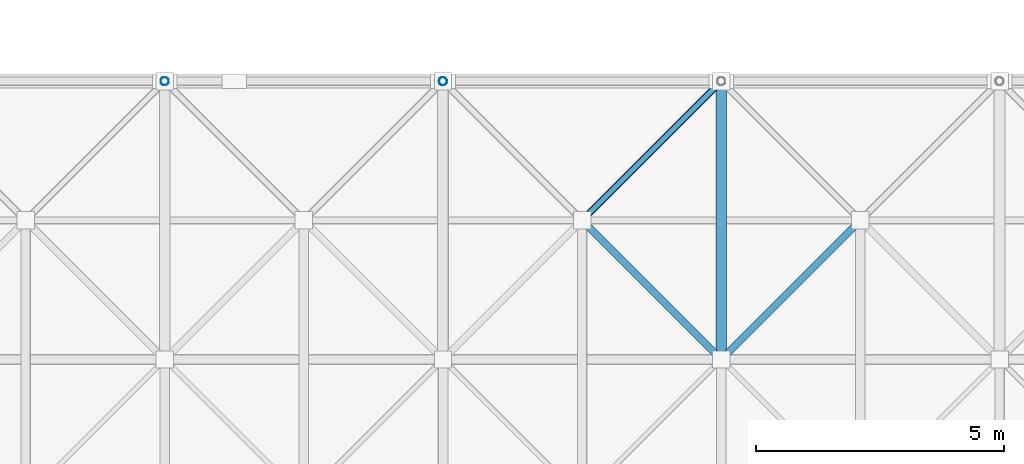
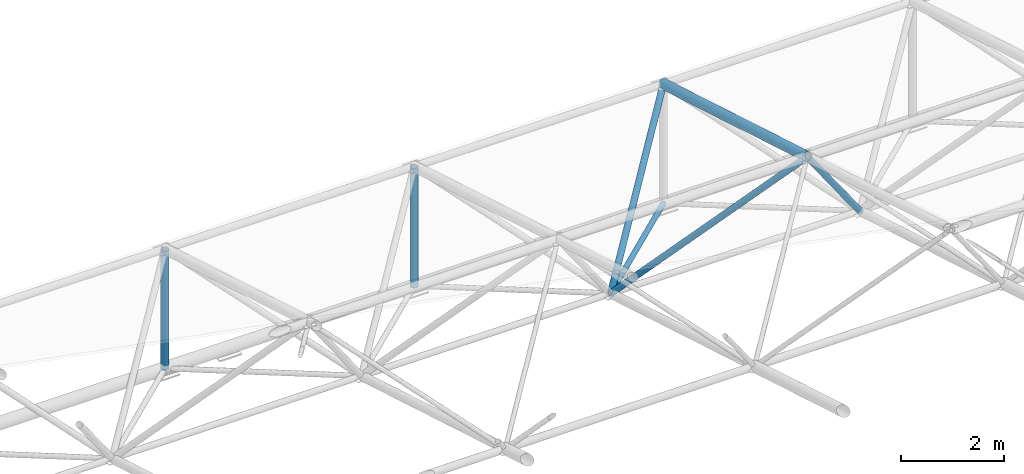
# One storey, part 40 of 100: 7 members.
"""IFC4 building model written with IfcOpenShell, lengths in metres."""

from ifc_helpers import new_model, si_unit, direction, frame, origin, origin_2d, place, context, subcontext, project, spatial, hollow_circle, extrude, material, material_profile, profile_set, type_object, element, save


model = new_model("IFC4")

# Units and contexts
model_context = context("Model", 3, precision=1e-05, world=origin(), true_north=direction((0.0, 1.0)))
body_context = subcontext(model_context, "Body", "Model", "MODEL_VIEW")
ifc_project = project(units=[si_unit("LENGTHUNIT", "METRE"), si_unit("AREAUNIT", "SQUARE_METRE"), si_unit("VOLUMEUNIT", "CUBIC_METRE"), si_unit("PLANEANGLEUNIT", "RADIAN"), si_unit("MASSUNIT", "GRAM", prefix="KILO")], contexts=[model_context])

# Site, building, storey
site_placement = place(None, origin())
site = spatial("IfcSite", under=ifc_project, at=site_placement, CompositionType="ELEMENT")
building_placement = place(site_placement, origin())
building = spatial("IfcBuilding", under=site, at=building_placement, Name="Kiln Court Media Centre", CompositionType="ELEMENT")
storey_placement = place(building_placement, frame((0.0, 0.0, 15.0)))
storey = spatial("IfcBuildingStorey", under=building, at=storey_placement, Name="L03", CompositionType="ELEMENT", Elevation=15.0)

# Members
ifc_material_1 = material(Name="Steel ASTM A500 Gr C", Category="steel")
ifc_material_profile_1 = material_profile(ifc_material_1, hollow_circle(Radius=0.05712890625, WallThickness=0.0048828125, at=origin_2d()), Name="CHS 114.3x5.0")
ifc_profile_set_1 = profile_set([ifc_material_profile_1], Name="Steel ASTM A500 Gr C")
member_type_1 = type_object("IfcMemberType", Name="Steel ASTM A500 Gr C CHS 114.3x5.0 space frame brace", PredefinedType="BRACE", material=ifc_profile_set_1)
member_1_placement = place(storey_placement, frame((140.0, 67.199951171875, 0.16455078125), z_axis=(-0.700650262178, -0.700650262178, 0.134827371927), x_axis=(0.707106781187, -0.707106781187, 0.0)))
element("IfcMember", 1, at=member_1_placement, inside=storey, type_object=member_type_1, Name="V2 roof bearing tie last 5 space frame brace", PredefinedType="BRACE", context=body_context, shape_type="SweptSolid", body=[
    extrude(hollow_circle(Radius=0.05712890625, WallThickness=0.0048828125, at=origin_2d()), origin(), (0.0, 0.0, 1.0), 3.996337890625),
])
ifc_material_2 = material(Name="Steel ASTM A500 Gr C", Category="steel")
ifc_material_profile_2 = material_profile(ifc_material_2, hollow_circle(Radius=0.06982421875, WallThickness=0.0048828125, at=origin_2d()), Name="CHS 139.7x5.0")
ifc_profile_set_2 = profile_set([ifc_material_profile_2], Name="Steel ASTM A500 Gr C")
member_type_2 = type_object("IfcMemberType", Name="Steel ASTM A500 Gr C CHS 139.7x5.0 space frame brace", PredefinedType="BRACE", material=ifc_profile_set_2)
member_2_placement = place(storey_placement, frame((137.199951171875, 64.39990234375, 0.703369140625), z_axis=(0.499789216589, -0.499745639188, 0.707435534232), x_axis=(0.707075952299, 0.70713760873, 0.0)))
element("IfcMember", 2, at=member_2_placement, inside=storey, type_object=member_type_2, Name="V2 roof diagonal 6-4 space frame brace", PredefinedType="BRACE", context=body_context, shape_type="SweptSolid", body=[
    extrude(hollow_circle(Radius=0.06982421875, WallThickness=0.0048828125, at=origin_2d()), origin(), (0.0, 0.0, 1.0), 5.6025390625),
])
member_3_placement = place(storey_placement, frame((137.199951171875, 64.39990234375, 0.703369140625), z_axis=(0.611675588557, 0.611675588557, 0.501703048353), x_axis=(-0.707106781187, 0.707106781187, 0.0)))
element("IfcMember", 3, at=member_3_placement, inside=storey, type_object=member_type_2, Name="V2 roof diagonal 6-4 space frame brace", PredefinedType="BRACE", context=body_context, shape_type="SweptSolid", body=[
    extrude(hollow_circle(Radius=0.06982421875, WallThickness=0.0048828125, at=origin_2d()), origin(), (0.0, 0.0, 1.0), 4.57763671875),
])
member_4_placement = place(storey_placement, frame((142.800048828125, 64.39990234375, 0.703369140625), z_axis=(-0.499789216589, -0.499745639188, 0.707435534232), x_axis=(0.707075952299, -0.70713760873, 0.0)))
element("IfcMember", 4, at=member_4_placement, inside=storey, type_object=member_type_2, Name="V2 roof diagonal 6-5 space frame brace", PredefinedType="BRACE", context=body_context, shape_type="SweptSolid", body=[
    extrude(hollow_circle(Radius=0.06982421875, WallThickness=0.0048828125, at=origin_2d()), origin(), (0.0, 0.0, 1.0), 5.6025390625),
])
ifc_material_3 = material(Name="Steel ASTM A500 Gr C", Category="steel")
ifc_material_profile_3 = material_profile(ifc_material_3, hollow_circle(Radius=0.084228515625, WallThickness=0.00634765625, at=origin_2d()), Name="CHS 168.3x6.3")
ifc_profile_set_3 = profile_set([ifc_material_profile_3], Name="Steel ASTM A500 Gr C")
member_type_3 = type_object("IfcMemberType", Name="Steel ASTM A500 Gr C CHS 168.3x6.3 space frame strut", PredefinedType="STRUT", material=ifc_profile_set_3)
for number, where, z_axis, x_axis, name in (
    (5, (128.800048828125, 67.199951171875, 0.16455078125), (0.0, 0.0, 1.0), (1.0, 0.0, 0.0), "V2 roof bearing post last 3 space frame strut"),
    (6, (134.39990234375, 67.199951171875, 0.16455078125), (0.0, 0.0, 1.0), (1.0, 0.0, 0.0), "V2 roof bearing post last 4 space frame strut"),
):
    element("IfcMember", number, at=place(storey_placement, frame(where, z_axis=z_axis, x_axis=x_axis)), inside=storey, type_object=member_type_3, Name=name, PredefinedType="STRUT", context=body_context, shape_type="SweptSolid", body=[
        extrude(hollow_circle(Radius=0.084228515625, WallThickness=0.00634765625, at=origin_2d()), origin(), (0.0, 0.0, 1.0), 2.83544921875),
    ])
ifc_material_4 = material(Name="Steel ASTM A500 Gr C", Category="steel")
ifc_material_profile_4 = material_profile(ifc_material_4, hollow_circle(Radius=0.109619140625, WallThickness=0.008056640625, at=origin_2d()), Name="CHS 219.1x8.0")
ifc_profile_set_4 = profile_set([ifc_material_profile_4], Name="Steel ASTM A500 Gr C")
member_type_4 = type_object("IfcMemberType", Name="Steel ASTM A500 Gr C CHS 219.1x8.0 space frame chord", PredefinedType="CHORD", material=ifc_profile_set_4)
member_5_placement = place(storey_placement, frame((140.0, 61.60009765625, 4.666748046875), z_axis=(0.0, 0.958446230045, -0.285273244649), x_axis=(-1.0, 0.0, 0.0)))
element("IfcMember", 7, at=member_5_placement, inside=storey, type_object=member_type_4, Name="V2 roof top chord across line 5 space frame chord", PredefinedType="CHORD", context=body_context, shape_type="SweptSolid", body=[
    extrude(hollow_circle(Radius=0.109619140625, WallThickness=0.008056640625, at=origin_2d()), origin(), (0.0, 0.0, 1.0), 5.842529296875),
])

save(model, "model.ifc")
